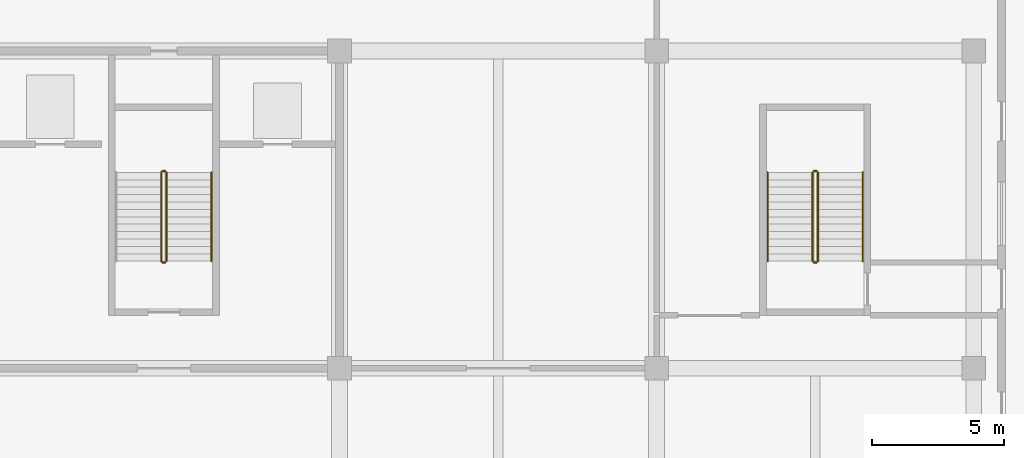
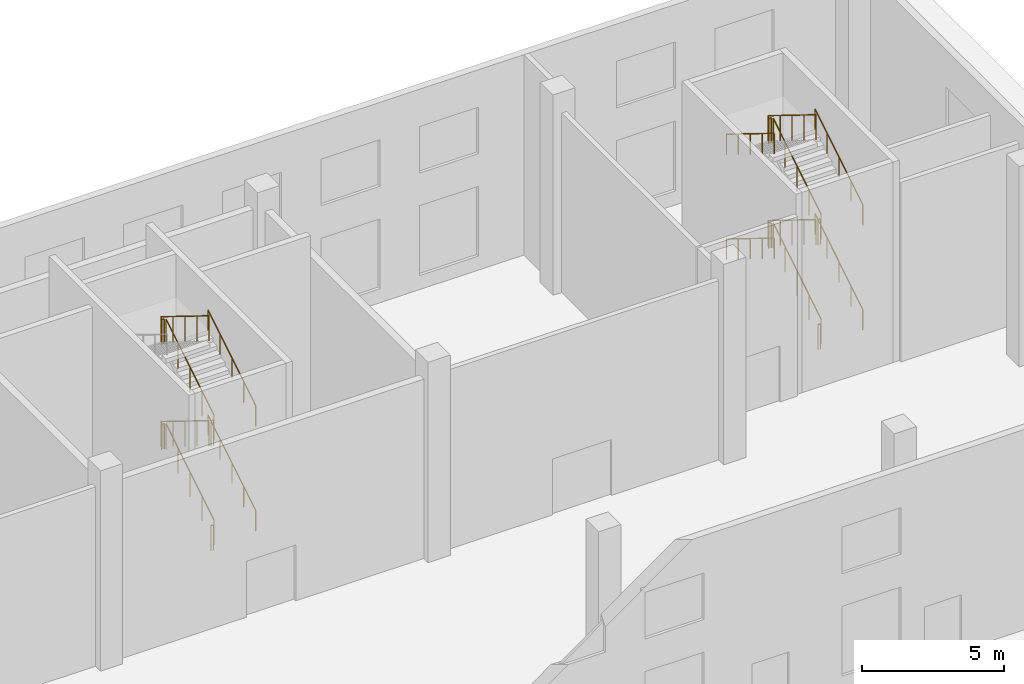
# One storey, part 42 of 43: 22 railings.
"""IFC4 building model written with IfcOpenShell, lengths in metres."""

from ifc_helpers import new_model, si_unit, direction, frame, origin, origin_2d, place, context, subcontext, project, spatial, circle, extrude, material, type_object, element, save


model = new_model("IFC4")

# Units and contexts
model_context = context("Model", 3, precision=1e-05, world=origin(), true_north=direction((0.0, 1.0)))
body_context = subcontext(model_context, "Body", "Model", "MODEL_VIEW")
ifc_project = project(units=[si_unit("LENGTHUNIT", "METRE"), si_unit("AREAUNIT", "SQUARE_METRE"), si_unit("VOLUMEUNIT", "CUBIC_METRE"), si_unit("PLANEANGLEUNIT", "RADIAN"), si_unit("MASSUNIT", "GRAM", prefix="KILO")], contexts=[model_context])

# Site, building, storey
site_placement = place(None, origin())
site = spatial("IfcSite", under=ifc_project, at=site_placement, CompositionType="ELEMENT")
building_placement = place(site_placement, origin())
building = spatial("IfcBuilding", under=site, at=building_placement, Name="Kilnfold Tower and Market Hall", CompositionType="ELEMENT")
storey_placement = place(building_placement, origin())
storey = spatial("IfcBuildingStorey", under=building, at=storey_placement, Name="L00", CompositionType="ELEMENT", Elevation=0.0)

# Railings
ifc_material_1 = material(Name="Steel S355", Category="steel")
railing_type_1 = type_object("IfcRailingType", Name="HALL STAIR GUARD 1100", PredefinedType="GUARDRAIL", material=ifc_material_1)
railing_1_placement = place(storey_placement, frame((24.10009765625, 46.699951171875, 0.173095703125)))
element("IfcRailing", 1, at=railing_1_placement, inside=storey, type_object=railing_type_1, Name="L00 MS5 stair guard 1", PredefinedType="GUARDRAIL", context=body_context, shape_type="SweptSolid", body=[
    extrude(circle(Radius=0.02392578125, at=origin_2d()), frame((0.0, 0.0, 1.076171875), z_axis=(0.0, 0.850623216509, 0.525775754039), x_axis=(-1.0, 0.0, 0.0)), (0.0, 0.0, 1.0), 3.9501953125),
    extrude(circle(Radius=0.02099609375, at=origin_2d()), origin(), (0.0, 0.0, 1.0), 1.052001953125),
    extrude(circle(Radius=0.02099609375, at=origin_2d()), frame((0.0, 0.840087890625, 0.519287109375)), (0.0, 0.0, 1.0), 1.052001953125),
    extrude(circle(Radius=0.02099609375, at=origin_2d()), frame((0.0, 1.68017578125, 1.03857421875)), (0.0, 0.0, 1.0), 1.052001953125),
    extrude(circle(Radius=0.02099609375, at=origin_2d()), frame((0.0, 2.52001953125, 1.5576171875)), (0.0, 0.0, 1.0), 1.052001953125),
    extrude(circle(Radius=0.02099609375, at=origin_2d()), frame((0.0, 3.360107421875, 2.076904296875)), (0.0, 0.0, 1.0), 1.052001953125),
])
railing_2_placement = place(storey_placement, frame((24.050048828125, 50.110107421875, 2.25)))
element("IfcRailing", 2, at=railing_2_placement, inside=storey, type_object=railing_type_1, Name="L00 MS5 stair guard 2", PredefinedType="GUARDRAIL", context=body_context, shape_type="SweptSolid", body=[
    extrude(circle(Radius=0.02392578125, at=origin_2d()), frame((0.0, 0.0, 1.076171875), z_axis=(-1.0, 0.0, 0.0), x_axis=(0.0, -1.0, 0.0)), (0.0, 0.0, 1.0), 0.10009765625),
    extrude(circle(Radius=0.02099609375, at=origin_2d()), origin(), (0.0, 0.0, 1.0), 1.052001953125),
    extrude(circle(Radius=0.02099609375, at=origin_2d()), frame((-0.10009765625, 0.0, 0.0)), (0.0, 0.0, 1.0), 1.052001953125),
])
railing_3_placement = place(storey_placement, frame((23.89990234375, 50.06005859375, 2.423095703125)))
element("IfcRailing", 3, at=railing_3_placement, inside=storey, type_object=railing_type_1, Name="L00 MS5 stair guard 3", PredefinedType="GUARDRAIL", context=body_context, shape_type="SweptSolid", body=[
    extrude(circle(Radius=0.02392578125, at=origin_2d()), frame((0.0, 0.0, 1.076171875), z_axis=(0.0, -0.850623216509, 0.525775754039), x_axis=(1.0, 0.0, 0.0)), (0.0, 0.0, 1.0), 3.9501953125),
    extrude(circle(Radius=0.02099609375, at=origin_2d()), origin(), (0.0, 0.0, 1.0), 1.052001953125),
    extrude(circle(Radius=0.02099609375, at=origin_2d()), frame((0.0, -0.840087890625, 0.519287109375)), (0.0, 0.0, 1.0), 1.052001953125),
    extrude(circle(Radius=0.02099609375, at=origin_2d()), frame((0.0, -1.68017578125, 1.03857421875)), (0.0, 0.0, 1.0), 1.052001953125),
    extrude(circle(Radius=0.02099609375, at=origin_2d()), frame((0.0, -2.52001953125, 1.5576171875)), (0.0, 0.0, 1.0), 1.052001953125),
    extrude(circle(Radius=0.02099609375, at=origin_2d()), frame((0.0, -3.360107421875, 2.076904296875)), (0.0, 0.0, 1.0), 1.052001953125),
])
railing_4_placement = place(storey_placement, frame((24.050048828125, 46.64990234375, 4.5)))
element("IfcRailing", 4, at=railing_4_placement, inside=storey, type_object=railing_type_1, Name="L00 MS5 stair guard 4", PredefinedType="GUARDRAIL", context=body_context, shape_type="SweptSolid", body=[
    extrude(circle(Radius=0.02392578125, at=origin_2d()), frame((0.0, 0.0, 1.076171875), z_axis=(-1.0, 0.0, 0.0), x_axis=(0.0, -1.0, 0.0)), (0.0, 0.0, 1.0), 0.10009765625),
    extrude(circle(Radius=0.02099609375, at=origin_2d()), origin(), (0.0, 0.0, 1.0), 1.052001953125),
    extrude(circle(Radius=0.02099609375, at=origin_2d()), frame((-0.10009765625, 0.0, 0.0)), (0.0, 0.0, 1.0), 1.052001953125),
])
railing_5_placement = place(storey_placement, frame((24.10009765625, 46.699951171875, 4.673095703125)))
element("IfcRailing", 5, at=railing_5_placement, inside=storey, type_object=railing_type_1, Name="L00 MS5 stair guard 5", PredefinedType="GUARDRAIL", context=body_context, shape_type="SweptSolid", body=[
    extrude(circle(Radius=0.02392578125, at=origin_2d()), frame((0.0, 0.0, 1.076171875), z_axis=(0.0, 0.850623216509, 0.525775754039), x_axis=(-1.0, 0.0, 0.0)), (0.0, 0.0, 1.0), 3.9501953125),
    extrude(circle(Radius=0.02099609375, at=origin_2d()), origin(), (0.0, 0.0, 1.0), 1.052001953125),
    extrude(circle(Radius=0.02099609375, at=origin_2d()), frame((0.0, 0.840087890625, 0.519287109375)), (0.0, 0.0, 1.0), 1.052001953125),
    extrude(circle(Radius=0.02099609375, at=origin_2d()), frame((0.0, 1.68017578125, 1.03857421875)), (0.0, 0.0, 1.0), 1.052001953125),
    extrude(circle(Radius=0.02099609375, at=origin_2d()), frame((0.0, 2.52001953125, 1.5576171875)), (0.0, 0.0, 1.0), 1.052001953125),
    extrude(circle(Radius=0.02099609375, at=origin_2d()), frame((0.0, 3.360107421875, 2.076904296875)), (0.0, 0.0, 1.0), 1.052001953125),
])
railing_6_placement = place(storey_placement, frame((24.050048828125, 50.110107421875, 6.75)))
element("IfcRailing", 6, at=railing_6_placement, inside=storey, type_object=railing_type_1, Name="L00 MS5 stair guard 6", PredefinedType="GUARDRAIL", context=body_context, shape_type="SweptSolid", body=[
    extrude(circle(Radius=0.02392578125, at=origin_2d()), frame((0.0, 0.0, 1.076171875), z_axis=(-1.0, 0.0, 0.0), x_axis=(0.0, -1.0, 0.0)), (0.0, 0.0, 1.0), 0.10009765625),
    extrude(circle(Radius=0.02099609375, at=origin_2d()), origin(), (0.0, 0.0, 1.0), 1.052001953125),
    extrude(circle(Radius=0.02099609375, at=origin_2d()), frame((-0.10009765625, 0.0, 0.0)), (0.0, 0.0, 1.0), 1.052001953125),
])
railing_7_placement = place(storey_placement, frame((23.89990234375, 50.06005859375, 6.923095703125)))
element("IfcRailing", 7, at=railing_7_placement, inside=storey, type_object=railing_type_1, Name="L00 MS5 stair guard 7", PredefinedType="GUARDRAIL", context=body_context, shape_type="SweptSolid", body=[
    extrude(circle(Radius=0.02392578125, at=origin_2d()), frame((0.0, 0.0, 1.076171875), z_axis=(0.0, -0.850623216509, 0.525775754039), x_axis=(1.0, 0.0, 0.0)), (0.0, 0.0, 1.0), 3.9501953125),
    extrude(circle(Radius=0.02099609375, at=origin_2d()), origin(), (0.0, 0.0, 1.0), 1.052001953125),
    extrude(circle(Radius=0.02099609375, at=origin_2d()), frame((0.0, -0.840087890625, 0.519287109375)), (0.0, 0.0, 1.0), 1.052001953125),
    extrude(circle(Radius=0.02099609375, at=origin_2d()), frame((0.0, -1.68017578125, 1.03857421875)), (0.0, 0.0, 1.0), 1.052001953125),
    extrude(circle(Radius=0.02099609375, at=origin_2d()), frame((0.0, -2.52001953125, 1.5576171875)), (0.0, 0.0, 1.0), 1.052001953125),
    extrude(circle(Radius=0.02099609375, at=origin_2d()), frame((0.0, -3.360107421875, 2.076904296875)), (0.0, 0.0, 1.0), 1.052001953125),
])
railing_8_placement = place(storey_placement, frame((24.050048828125, 46.64990234375, 0.0)))
element("IfcRailing", 8, at=railing_8_placement, inside=storey, type_object=railing_type_1, Name="L00 MS5 stair guard 8", PredefinedType="GUARDRAIL", context=body_context, shape_type="SweptSolid", body=[
    extrude(circle(Radius=0.02392578125, at=origin_2d()), frame((0.0, 0.0, 1.076171875), z_axis=(-1.0, 0.0, 0.0), x_axis=(0.0, -1.0, 0.0)), (0.0, 0.0, 1.0), 0.10009765625),
    extrude(circle(Radius=0.02099609375, at=origin_2d()), origin(), (0.0, 0.0, 1.0), 1.052001953125),
    extrude(circle(Radius=0.02099609375, at=origin_2d()), frame((-0.10009765625, 0.0, 0.0)), (0.0, 0.0, 1.0), 1.052001953125),
])
railing_9_placement = place(storey_placement, frame((48.75, 46.699951171875, 0.173095703125)))
element("IfcRailing", 9, at=railing_9_placement, inside=storey, type_object=railing_type_1, Name="L00 MS6 stair guard 1", PredefinedType="GUARDRAIL", context=body_context, shape_type="SweptSolid", body=[
    extrude(circle(Radius=0.02392578125, at=origin_2d()), frame((0.0, 0.0, 1.076171875), z_axis=(0.0, 0.850623216509, 0.525775754039), x_axis=(-1.0, 0.0, 0.0)), (0.0, 0.0, 1.0), 3.9501953125),
    extrude(circle(Radius=0.02099609375, at=origin_2d()), origin(), (0.0, 0.0, 1.0), 1.052001953125),
    extrude(circle(Radius=0.02099609375, at=origin_2d()), frame((0.0, 0.840087890625, 0.519287109375)), (0.0, 0.0, 1.0), 1.052001953125),
    extrude(circle(Radius=0.02099609375, at=origin_2d()), frame((0.0, 1.68017578125, 1.03857421875)), (0.0, 0.0, 1.0), 1.052001953125),
    extrude(circle(Radius=0.02099609375, at=origin_2d()), frame((0.0, 2.52001953125, 1.5576171875)), (0.0, 0.0, 1.0), 1.052001953125),
    extrude(circle(Radius=0.02099609375, at=origin_2d()), frame((0.0, 3.360107421875, 2.076904296875)), (0.0, 0.0, 1.0), 1.052001953125),
])
railing_10_placement = place(storey_placement, frame((48.699951171875, 50.110107421875, 2.25)))
element("IfcRailing", 10, at=railing_10_placement, inside=storey, type_object=railing_type_1, Name="L00 MS6 stair guard 2", PredefinedType="GUARDRAIL", context=body_context, shape_type="SweptSolid", body=[
    extrude(circle(Radius=0.02392578125, at=origin_2d()), frame((0.0, 0.0, 1.076171875), z_axis=(-1.0, 0.0, 0.0), x_axis=(0.0, -1.0, 0.0)), (0.0, 0.0, 1.0), 0.099853515625),
    extrude(circle(Radius=0.02099609375, at=origin_2d()), origin(), (0.0, 0.0, 1.0), 1.052001953125),
    extrude(circle(Radius=0.02099609375, at=origin_2d()), frame((-0.099853515625, 0.0, 0.0)), (0.0, 0.0, 1.0), 1.052001953125),
])
railing_11_placement = place(storey_placement, frame((48.550048828125, 50.06005859375, 2.423095703125)))
element("IfcRailing", 11, at=railing_11_placement, inside=storey, type_object=railing_type_1, Name="L00 MS6 stair guard 3", PredefinedType="GUARDRAIL", context=body_context, shape_type="SweptSolid", body=[
    extrude(circle(Radius=0.02392578125, at=origin_2d()), frame((0.0, 0.0, 1.076171875), z_axis=(0.0, -0.850623216509, 0.525775754039), x_axis=(1.0, 0.0, 0.0)), (0.0, 0.0, 1.0), 3.9501953125),
    extrude(circle(Radius=0.02099609375, at=origin_2d()), origin(), (0.0, 0.0, 1.0), 1.052001953125),
    extrude(circle(Radius=0.02099609375, at=origin_2d()), frame((0.0, -0.840087890625, 0.519287109375)), (0.0, 0.0, 1.0), 1.052001953125),
    extrude(circle(Radius=0.02099609375, at=origin_2d()), frame((0.0, -1.68017578125, 1.03857421875)), (0.0, 0.0, 1.0), 1.052001953125),
    extrude(circle(Radius=0.02099609375, at=origin_2d()), frame((0.0, -2.52001953125, 1.5576171875)), (0.0, 0.0, 1.0), 1.052001953125),
    extrude(circle(Radius=0.02099609375, at=origin_2d()), frame((0.0, -3.360107421875, 2.076904296875)), (0.0, 0.0, 1.0), 1.052001953125),
])
railing_12_placement = place(storey_placement, frame((48.699951171875, 46.64990234375, 4.5)))
element("IfcRailing", 12, at=railing_12_placement, inside=storey, type_object=railing_type_1, Name="L00 MS6 stair guard 4", PredefinedType="GUARDRAIL", context=body_context, shape_type="SweptSolid", body=[
    extrude(circle(Radius=0.02392578125, at=origin_2d()), frame((0.0, 0.0, 1.076171875), z_axis=(-1.0, 0.0, 0.0), x_axis=(0.0, -1.0, 0.0)), (0.0, 0.0, 1.0), 0.099853515625),
    extrude(circle(Radius=0.02099609375, at=origin_2d()), origin(), (0.0, 0.0, 1.0), 1.052001953125),
    extrude(circle(Radius=0.02099609375, at=origin_2d()), frame((-0.099853515625, 0.0, 0.0)), (0.0, 0.0, 1.0), 1.052001953125),
])
railing_13_placement = place(storey_placement, frame((48.75, 46.699951171875, 4.673095703125)))
element("IfcRailing", 13, at=railing_13_placement, inside=storey, type_object=railing_type_1, Name="L00 MS6 stair guard 5", PredefinedType="GUARDRAIL", context=body_context, shape_type="SweptSolid", body=[
    extrude(circle(Radius=0.02392578125, at=origin_2d()), frame((0.0, 0.0, 1.076171875), z_axis=(0.0, 0.850623216509, 0.525775754039), x_axis=(-1.0, 0.0, 0.0)), (0.0, 0.0, 1.0), 3.9501953125),
    extrude(circle(Radius=0.02099609375, at=origin_2d()), origin(), (0.0, 0.0, 1.0), 1.052001953125),
    extrude(circle(Radius=0.02099609375, at=origin_2d()), frame((0.0, 0.840087890625, 0.519287109375)), (0.0, 0.0, 1.0), 1.052001953125),
    extrude(circle(Radius=0.02099609375, at=origin_2d()), frame((0.0, 1.68017578125, 1.03857421875)), (0.0, 0.0, 1.0), 1.052001953125),
    extrude(circle(Radius=0.02099609375, at=origin_2d()), frame((0.0, 2.52001953125, 1.5576171875)), (0.0, 0.0, 1.0), 1.052001953125),
    extrude(circle(Radius=0.02099609375, at=origin_2d()), frame((0.0, 3.360107421875, 2.076904296875)), (0.0, 0.0, 1.0), 1.052001953125),
])
railing_14_placement = place(storey_placement, frame((48.699951171875, 50.110107421875, 6.75)))
element("IfcRailing", 14, at=railing_14_placement, inside=storey, type_object=railing_type_1, Name="L00 MS6 stair guard 6", PredefinedType="GUARDRAIL", context=body_context, shape_type="SweptSolid", body=[
    extrude(circle(Radius=0.02392578125, at=origin_2d()), frame((0.0, 0.0, 1.076171875), z_axis=(-1.0, 0.0, 0.0), x_axis=(0.0, -1.0, 0.0)), (0.0, 0.0, 1.0), 0.099853515625),
    extrude(circle(Radius=0.02099609375, at=origin_2d()), origin(), (0.0, 0.0, 1.0), 1.052001953125),
    extrude(circle(Radius=0.02099609375, at=origin_2d()), frame((-0.099853515625, 0.0, 0.0)), (0.0, 0.0, 1.0), 1.052001953125),
])
railing_15_placement = place(storey_placement, frame((48.550048828125, 50.06005859375, 6.923095703125)))
element("IfcRailing", 15, at=railing_15_placement, inside=storey, type_object=railing_type_1, Name="L00 MS6 stair guard 7", PredefinedType="GUARDRAIL", context=body_context, shape_type="SweptSolid", body=[
    extrude(circle(Radius=0.02392578125, at=origin_2d()), frame((0.0, 0.0, 1.076171875), z_axis=(0.0, -0.850623216509, 0.525775754039), x_axis=(1.0, 0.0, 0.0)), (0.0, 0.0, 1.0), 3.9501953125),
    extrude(circle(Radius=0.02099609375, at=origin_2d()), origin(), (0.0, 0.0, 1.0), 1.052001953125),
    extrude(circle(Radius=0.02099609375, at=origin_2d()), frame((0.0, -0.840087890625, 0.519287109375)), (0.0, 0.0, 1.0), 1.052001953125),
    extrude(circle(Radius=0.02099609375, at=origin_2d()), frame((0.0, -1.68017578125, 1.03857421875)), (0.0, 0.0, 1.0), 1.052001953125),
    extrude(circle(Radius=0.02099609375, at=origin_2d()), frame((0.0, -2.52001953125, 1.5576171875)), (0.0, 0.0, 1.0), 1.052001953125),
    extrude(circle(Radius=0.02099609375, at=origin_2d()), frame((0.0, -3.360107421875, 2.076904296875)), (0.0, 0.0, 1.0), 1.052001953125),
])
railing_16_placement = place(storey_placement, frame((48.699951171875, 46.64990234375, 0.0)))
element("IfcRailing", 16, at=railing_16_placement, inside=storey, type_object=railing_type_1, Name="L00 MS6 stair guard 8", PredefinedType="GUARDRAIL", context=body_context, shape_type="SweptSolid", body=[
    extrude(circle(Radius=0.02392578125, at=origin_2d()), frame((0.0, 0.0, 1.076171875), z_axis=(-1.0, 0.0, 0.0), x_axis=(0.0, -1.0, 0.0)), (0.0, 0.0, 1.0), 0.099853515625),
    extrude(circle(Radius=0.02099609375, at=origin_2d()), origin(), (0.0, 0.0, 1.0), 1.052001953125),
    extrude(circle(Radius=0.02099609375, at=origin_2d()), frame((-0.099853515625, 0.0, 0.0)), (0.0, 0.0, 1.0), 1.052001953125),
])
ifc_material_2 = material(Name="Steel S355", Category="steel")
railing_type_2 = type_object("IfcRailingType", Name="HALL STAIR HANDRAIL", PredefinedType="HANDRAIL", material=ifc_material_2)
for number, where, name in (
    (17, (25.800048828125, 46.699951171875, 0.173095703125), "L00 MS5 stair handrail 1"),
    (18, (25.800048828125, 46.699951171875, 4.673095703125), "L00 MS5 stair handrail 3"),
    (19, (50.449951171875, 46.699951171875, 0.173095703125), "L00 MS6 stair handrail 1"),
):
    element("IfcRailing", number, at=place(storey_placement, frame(where)), inside=storey, type_object=railing_type_2, Name=name, PredefinedType="HANDRAIL", context=body_context, shape_type="SweptSolid", body=[
        extrude(circle(Radius=0.02392578125, at=origin_2d()), frame((0.0, 0.0, 0.8759765625), z_axis=(0.0, 0.850623216509, 0.525775754039), x_axis=(-1.0, 0.0, 0.0)), (0.0, 0.0, 1.0), 3.9501953125),
        extrude(circle(Radius=0.02099609375, at=origin_2d()), origin(), (0.0, 0.0, 1.0), 0.851806640625),
        extrude(circle(Radius=0.02099609375, at=origin_2d()), frame((0.0, 0.840087890625, 0.519287109375)), (0.0, 0.0, 1.0), 0.851806640625),
        extrude(circle(Radius=0.02099609375, at=origin_2d()), frame((0.0, 1.68017578125, 1.03857421875)), (0.0, 0.0, 1.0), 0.851806640625),
        extrude(circle(Radius=0.02099609375, at=origin_2d()), frame((0.0, 2.52001953125, 1.5576171875)), (0.0, 0.0, 1.0), 0.851806640625),
        extrude(circle(Radius=0.02099609375, at=origin_2d()), frame((0.0, 3.360107421875, 2.076904296875)), (0.0, 0.0, 1.0), 0.851806640625),
    ])
railing_17_placement = place(storey_placement, frame((46.85009765625, 50.06005859375, 2.423095703125)))
element("IfcRailing", 20, at=railing_17_placement, inside=storey, type_object=railing_type_2, Name="L00 MS6 stair handrail 2", PredefinedType="HANDRAIL", context=body_context, shape_type="SweptSolid", body=[
    extrude(circle(Radius=0.02392578125, at=origin_2d()), frame((0.0, 0.0, 0.8759765625), z_axis=(0.0, -0.850623216509, 0.525775754039), x_axis=(1.0, 0.0, 0.0)), (0.0, 0.0, 1.0), 3.9501953125),
    extrude(circle(Radius=0.02099609375, at=origin_2d()), origin(), (0.0, 0.0, 1.0), 0.851806640625),
    extrude(circle(Radius=0.02099609375, at=origin_2d()), frame((0.0, -0.840087890625, 0.519287109375)), (0.0, 0.0, 1.0), 0.851806640625),
    extrude(circle(Radius=0.02099609375, at=origin_2d()), frame((0.0, -1.68017578125, 1.03857421875)), (0.0, 0.0, 1.0), 0.851806640625),
    extrude(circle(Radius=0.02099609375, at=origin_2d()), frame((0.0, -2.52001953125, 1.5576171875)), (0.0, 0.0, 1.0), 0.851806640625),
    extrude(circle(Radius=0.02099609375, at=origin_2d()), frame((0.0, -3.360107421875, 2.076904296875)), (0.0, 0.0, 1.0), 0.851806640625),
])
railing_18_placement = place(storey_placement, frame((50.449951171875, 46.699951171875, 4.673095703125)))
element("IfcRailing", 21, at=railing_18_placement, inside=storey, type_object=railing_type_2, Name="L00 MS6 stair handrail 3", PredefinedType="HANDRAIL", context=body_context, shape_type="SweptSolid", body=[
    extrude(circle(Radius=0.02392578125, at=origin_2d()), frame((0.0, 0.0, 0.8759765625), z_axis=(0.0, 0.850623216509, 0.525775754039), x_axis=(-1.0, 0.0, 0.0)), (0.0, 0.0, 1.0), 3.9501953125),
    extrude(circle(Radius=0.02099609375, at=origin_2d()), origin(), (0.0, 0.0, 1.0), 0.851806640625),
    extrude(circle(Radius=0.02099609375, at=origin_2d()), frame((0.0, 0.840087890625, 0.519287109375)), (0.0, 0.0, 1.0), 0.851806640625),
    extrude(circle(Radius=0.02099609375, at=origin_2d()), frame((0.0, 1.68017578125, 1.03857421875)), (0.0, 0.0, 1.0), 0.851806640625),
    extrude(circle(Radius=0.02099609375, at=origin_2d()), frame((0.0, 2.52001953125, 1.5576171875)), (0.0, 0.0, 1.0), 0.851806640625),
    extrude(circle(Radius=0.02099609375, at=origin_2d()), frame((0.0, 3.360107421875, 2.076904296875)), (0.0, 0.0, 1.0), 0.851806640625),
])
railing_19_placement = place(storey_placement, frame((46.85009765625, 50.06005859375, 6.923095703125)))
element("IfcRailing", 22, at=railing_19_placement, inside=storey, type_object=railing_type_2, Name="L00 MS6 stair handrail 4", PredefinedType="HANDRAIL", context=body_context, shape_type="SweptSolid", body=[
    extrude(circle(Radius=0.02392578125, at=origin_2d()), frame((0.0, 0.0, 0.8759765625), z_axis=(0.0, -0.850623216509, 0.525775754039), x_axis=(1.0, 0.0, 0.0)), (0.0, 0.0, 1.0), 3.9501953125),
    extrude(circle(Radius=0.02099609375, at=origin_2d()), origin(), (0.0, 0.0, 1.0), 0.851806640625),
    extrude(circle(Radius=0.02099609375, at=origin_2d()), frame((0.0, -0.840087890625, 0.519287109375)), (0.0, 0.0, 1.0), 0.851806640625),
    extrude(circle(Radius=0.02099609375, at=origin_2d()), frame((0.0, -1.68017578125, 1.03857421875)), (0.0, 0.0, 1.0), 0.851806640625),
    extrude(circle(Radius=0.02099609375, at=origin_2d()), frame((0.0, -2.52001953125, 1.5576171875)), (0.0, 0.0, 1.0), 0.851806640625),
    extrude(circle(Radius=0.02099609375, at=origin_2d()), frame((0.0, -3.360107421875, 2.076904296875)), (0.0, 0.0, 1.0), 0.851806640625),
])

save(model, "model.ifc")
